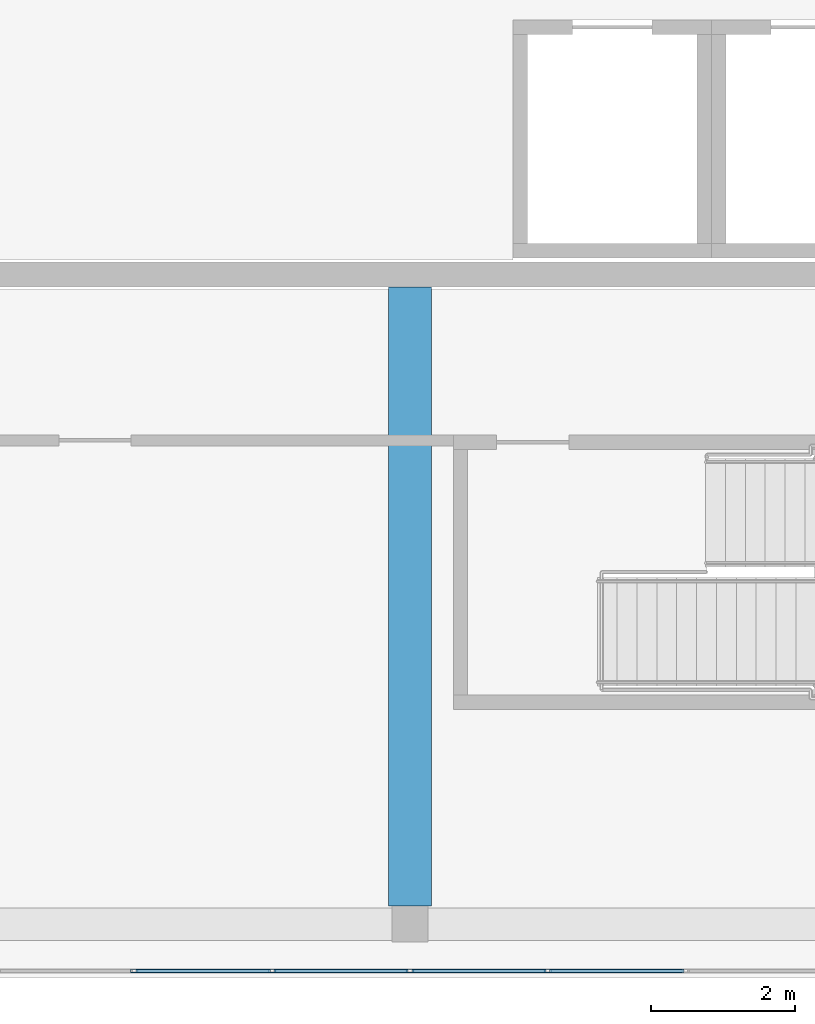
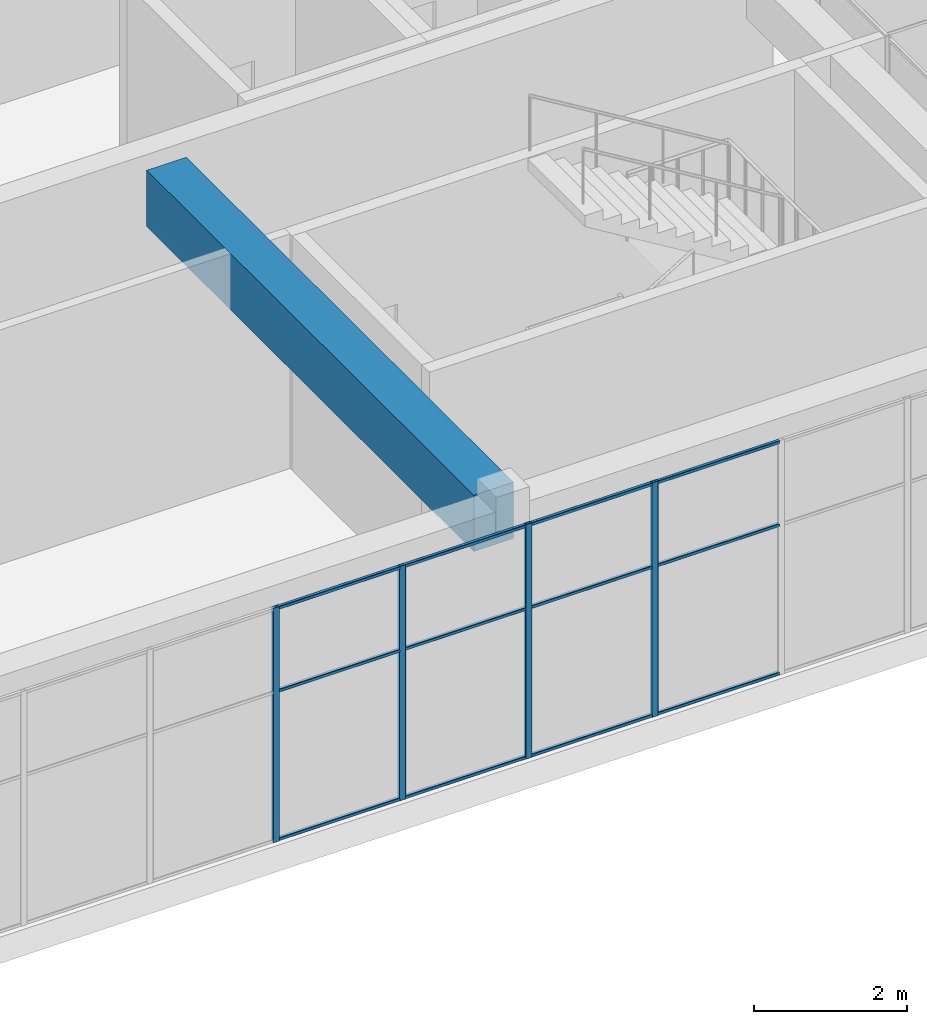
# One storey, part 7 of 34: 16 members, 1 beam, 1 element without a shape of its own.
"""IFC4 building model written with IfcOpenShell, lengths in metres."""

from ifc_helpers import new_model, si_unit, direction, frame, origin, origin_2d, place, context, subcontext, project, spatial, rectangle, hollow_rectangle, extrude, material, layer, layer_set, material_profile, profile_set, type_object, element, aggregate, save


model = new_model("IFC4")

# Units and contexts
model_context = context("Model", 3, precision=1e-05, world=origin(), true_north=direction((0.0, 1.0)))
body_context = subcontext(model_context, "Body", "Model", "MODEL_VIEW")
ifc_project = project(units=[si_unit("LENGTHUNIT", "METRE"), si_unit("AREAUNIT", "SQUARE_METRE"), si_unit("VOLUMEUNIT", "CUBIC_METRE"), si_unit("PLANEANGLEUNIT", "RADIAN"), si_unit("MASSUNIT", "GRAM", prefix="KILO")], contexts=[model_context])

# Site, building, storey
site_placement = place(None, origin())
site = spatial("IfcSite", under=ifc_project, at=site_placement, CompositionType="ELEMENT")
building_placement = place(site_placement, origin())
building = spatial("IfcBuilding", under=site, at=building_placement, Name="Tuart Plaza Theatre", CompositionType="ELEMENT")
storey_placement = place(building_placement, frame((0.0, 0.0, 53.5)))
storey = spatial("IfcBuildingStorey", under=building, at=storey_placement, Name="L13", CompositionType="ELEMENT", Elevation=53.5)

# Beam
ifc_material_1 = material(Name="Concrete N40 (40 MPa)", Category="concrete")
ifc_material_profile_1 = material_profile(ifc_material_1, rectangle(XDim=0.60009765625, YDim=0.89990234375, at=origin_2d()), Name="BEAM 600x900 Concrete N40 (40 MPa)")
ifc_profile_set_1 = profile_set([ifc_material_profile_1], Name="Concrete N40 (40 MPa)")
beam_type = type_object("IfcBeamType", Name="BEAM 600x900 Concrete N40 (40 MPa)", PredefinedType="BEAM", material=ifc_profile_set_1)
beam_placement = place(storey_placement, frame((132.0, 56.25, 3.300048828125), z_axis=(0.0, 1.0, 0.0), x_axis=(-1.0, 0.0, 0.0)))
element("IfcBeam", 1, at=beam_placement, inside=storey, type_object=beam_type, Name="RB333", PredefinedType="BEAM", context=body_context, shape_type="SweptSolid", body=[
    extrude(rectangle(XDim=0.60009765625, YDim=0.89990234375, at=origin_2d()), origin(), (0.0, 0.0, 1.0), 8.574951171875),
])

# Curtain wall, members
ifc_material_2 = material(Name="Aluminium and glass", Category="aluminium")
ifc_layer = layer(ifc_material_2, 0.10009765625)
ifc_layer_set = layer_set([ifc_layer], Name="CURTAIN WALL 2000 module")
curtain_wall_type = type_object("IfcCurtainWallType", Name="CURTAIN WALL 2000 module", PredefinedType="NOTDEFINED", material=ifc_layer_set)
curtain_wall_placement = place(storey_placement, origin())
curtain_wall = element("IfcCurtainWall", 2, at=curtain_wall_placement, inside=storey, type_object=curtain_wall_type, Name="CW122", PredefinedType="NOTDEFINED")
ifc_material_3 = material(Name="Aluminium 6063-T5", Category="aluminium")
ifc_material_profile_2 = material_profile(ifc_material_3, hollow_rectangle(XDim=0.050048828125, YDim=0.10009765625, WallThickness=0.00390625, InnerFilletRadius=0.00390625, OuterFilletRadius=0.008056640625, at=origin_2d()), Name="RHS 100x50x4")
ifc_profile_set_2 = profile_set([ifc_material_profile_2], Name="Aluminium 6063-T5")
member_type_1 = type_object("IfcMemberType", Name="MULLION RHS 100x50x4", PredefinedType="MULLION", material=ifc_profile_set_2)
member_1_placement = place(storey_placement, frame((128.179931640625, 55.35009765625, 0.0), z_axis=(0.0, 0.0, 1.0), x_axis=(0.0, 1.0, 0.0)))
member_1 = element("IfcMember", 3, at=member_1_placement, type_object=member_type_1, Name="CW122 mullion 4", PredefinedType="MULLION", context=body_context, shape_type="SweptSolid", body=[
    extrude(hollow_rectangle(XDim=0.050048828125, YDim=0.10009765625, WallThickness=0.00390625, InnerFilletRadius=0.00390625, OuterFilletRadius=0.008056640625, at=origin_2d()), origin(), (0.0, 0.0, 1.0), 3.75),
])
member_2_placement = place(storey_placement, frame((130.090087890625, 55.35009765625, 0.0), z_axis=(0.0, 0.0, 1.0), x_axis=(0.0, 1.0, 0.0)))
member_2 = element("IfcMember", 4, at=member_2_placement, type_object=member_type_1, Name="CW122 mullion 5", PredefinedType="MULLION", context=body_context, shape_type="SweptSolid", body=[
    extrude(hollow_rectangle(XDim=0.050048828125, YDim=0.10009765625, WallThickness=0.00390625, InnerFilletRadius=0.00390625, OuterFilletRadius=0.008056640625, at=origin_2d()), origin(), (0.0, 0.0, 1.0), 3.75),
])
member_3_placement = place(storey_placement, frame((132.0, 55.35009765625, 0.0), z_axis=(0.0, 0.0, 1.0), x_axis=(0.0, 1.0, 0.0)))
member_3 = element("IfcMember", 5, at=member_3_placement, type_object=member_type_1, Name="CW122 mullion 6", PredefinedType="MULLION", context=body_context, shape_type="SweptSolid", body=[
    extrude(hollow_rectangle(XDim=0.050048828125, YDim=0.10009765625, WallThickness=0.00390625, InnerFilletRadius=0.00390625, OuterFilletRadius=0.008056640625, at=origin_2d()), origin(), (0.0, 0.0, 1.0), 3.75),
])
member_4_placement = place(storey_placement, frame((133.909912109375, 55.35009765625, 0.0), z_axis=(0.0, 0.0, 1.0), x_axis=(0.0, 1.0, 0.0)))
member_4 = element("IfcMember", 6, at=member_4_placement, type_object=member_type_1, Name="CW122 mullion 7", PredefinedType="MULLION", context=body_context, shape_type="SweptSolid", body=[
    extrude(hollow_rectangle(XDim=0.050048828125, YDim=0.10009765625, WallThickness=0.00390625, InnerFilletRadius=0.00390625, OuterFilletRadius=0.008056640625, at=origin_2d()), origin(), (0.0, 0.0, 1.0), 3.75),
])
ifc_material_4 = material(Name="Aluminium 6063-T5", Category="aluminium")
ifc_material_profile_3 = material_profile(ifc_material_4, hollow_rectangle(XDim=0.050048828125, YDim=0.050048828125, WallThickness=0.00390625, InnerFilletRadius=0.00390625, OuterFilletRadius=0.008056640625, at=origin_2d()), Name="RHS 50x50x4")
ifc_profile_set_3 = profile_set([ifc_material_profile_3], Name="Aluminium 6063-T5")
member_type_2 = type_object("IfcMemberType", Name="TRANSOM RHS 50x50x4", PredefinedType="USERDEFINED", material=ifc_profile_set_3)
member_5_placement = place(storey_placement, frame((128.205078125, 55.35009765625, 0.02490234375), z_axis=(1.0, 0.0, 0.0), x_axis=(0.0, 1.0, 0.0)))
member_5 = element("IfcMember", 7, at=member_5_placement, type_object=member_type_2, Name="CW122 transom 4.1", ObjectType="TRANSOM", PredefinedType="USERDEFINED", context=body_context, shape_type="SweptSolid", body=[
    extrude(hollow_rectangle(XDim=0.050048828125, YDim=0.050048828125, WallThickness=0.00390625, InnerFilletRadius=0.00390625, OuterFilletRadius=0.008056640625, at=origin_2d()), origin(), (0.0, 0.0, 1.0), 1.85986328125),
])
member_6_placement = place(storey_placement, frame((128.205078125, 55.35009765625, 2.39990234375), z_axis=(1.0, 0.0, 0.0), x_axis=(0.0, 1.0, 0.0)))
member_6 = element("IfcMember", 8, at=member_6_placement, type_object=member_type_2, Name="CW122 transom 4.2", ObjectType="TRANSOM", PredefinedType="USERDEFINED", context=body_context, shape_type="SweptSolid", body=[
    extrude(hollow_rectangle(XDim=0.050048828125, YDim=0.050048828125, WallThickness=0.00390625, InnerFilletRadius=0.00390625, OuterFilletRadius=0.008056640625, at=origin_2d()), origin(), (0.0, 0.0, 1.0), 1.85986328125),
])
member_7_placement = place(storey_placement, frame((128.205078125, 55.35009765625, 3.72509765625), z_axis=(1.0, 0.0, 0.0), x_axis=(0.0, 1.0, 0.0)))
member_7 = element("IfcMember", 9, at=member_7_placement, type_object=member_type_2, Name="CW122 transom 4.3", ObjectType="TRANSOM", PredefinedType="USERDEFINED", context=body_context, shape_type="SweptSolid", body=[
    extrude(hollow_rectangle(XDim=0.050048828125, YDim=0.050048828125, WallThickness=0.00390625, InnerFilletRadius=0.00390625, OuterFilletRadius=0.008056640625, at=origin_2d()), origin(), (0.0, 0.0, 1.0), 1.85986328125),
])
member_8_placement = place(storey_placement, frame((130.114990234375, 55.35009765625, 0.02490234375), z_axis=(1.0, 0.0, 0.0), x_axis=(0.0, 1.0, 0.0)))
member_8 = element("IfcMember", 10, at=member_8_placement, type_object=member_type_2, Name="CW122 transom 5.1", ObjectType="TRANSOM", PredefinedType="USERDEFINED", context=body_context, shape_type="SweptSolid", body=[
    extrude(hollow_rectangle(XDim=0.050048828125, YDim=0.050048828125, WallThickness=0.00390625, InnerFilletRadius=0.00390625, OuterFilletRadius=0.008056640625, at=origin_2d()), origin(), (0.0, 0.0, 1.0), 1.860107421875),
])
member_9_placement = place(storey_placement, frame((130.114990234375, 55.35009765625, 2.39990234375), z_axis=(1.0, 0.0, 0.0), x_axis=(0.0, 1.0, 0.0)))
member_9 = element("IfcMember", 11, at=member_9_placement, type_object=member_type_2, Name="CW122 transom 5.2", ObjectType="TRANSOM", PredefinedType="USERDEFINED", context=body_context, shape_type="SweptSolid", body=[
    extrude(hollow_rectangle(XDim=0.050048828125, YDim=0.050048828125, WallThickness=0.00390625, InnerFilletRadius=0.00390625, OuterFilletRadius=0.008056640625, at=origin_2d()), origin(), (0.0, 0.0, 1.0), 1.860107421875),
])
member_10_placement = place(storey_placement, frame((130.114990234375, 55.35009765625, 3.72509765625), z_axis=(1.0, 0.0, 0.0), x_axis=(0.0, 1.0, 0.0)))
member_10 = element("IfcMember", 12, at=member_10_placement, type_object=member_type_2, Name="CW122 transom 5.3", ObjectType="TRANSOM", PredefinedType="USERDEFINED", context=body_context, shape_type="SweptSolid", body=[
    extrude(hollow_rectangle(XDim=0.050048828125, YDim=0.050048828125, WallThickness=0.00390625, InnerFilletRadius=0.00390625, OuterFilletRadius=0.008056640625, at=origin_2d()), origin(), (0.0, 0.0, 1.0), 1.860107421875),
])
member_11_placement = place(storey_placement, frame((132.02490234375, 55.35009765625, 0.02490234375), z_axis=(1.0, 0.0, 0.0), x_axis=(0.0, 1.0, 0.0)))
member_11 = element("IfcMember", 13, at=member_11_placement, type_object=member_type_2, Name="CW122 transom 6.1", ObjectType="TRANSOM", PredefinedType="USERDEFINED", context=body_context, shape_type="SweptSolid", body=[
    extrude(hollow_rectangle(XDim=0.050048828125, YDim=0.050048828125, WallThickness=0.00390625, InnerFilletRadius=0.00390625, OuterFilletRadius=0.008056640625, at=origin_2d()), origin(), (0.0, 0.0, 1.0), 1.860107421875),
])
member_12_placement = place(storey_placement, frame((132.02490234375, 55.35009765625, 2.39990234375), z_axis=(1.0, 0.0, 0.0), x_axis=(0.0, 1.0, 0.0)))
member_12 = element("IfcMember", 14, at=member_12_placement, type_object=member_type_2, Name="CW122 transom 6.2", ObjectType="TRANSOM", PredefinedType="USERDEFINED", context=body_context, shape_type="SweptSolid", body=[
    extrude(hollow_rectangle(XDim=0.050048828125, YDim=0.050048828125, WallThickness=0.00390625, InnerFilletRadius=0.00390625, OuterFilletRadius=0.008056640625, at=origin_2d()), origin(), (0.0, 0.0, 1.0), 1.860107421875),
])
member_13_placement = place(storey_placement, frame((132.02490234375, 55.35009765625, 3.72509765625), z_axis=(1.0, 0.0, 0.0), x_axis=(0.0, 1.0, 0.0)))
member_13 = element("IfcMember", 15, at=member_13_placement, type_object=member_type_2, Name="CW122 transom 6.3", ObjectType="TRANSOM", PredefinedType="USERDEFINED", context=body_context, shape_type="SweptSolid", body=[
    extrude(hollow_rectangle(XDim=0.050048828125, YDim=0.050048828125, WallThickness=0.00390625, InnerFilletRadius=0.00390625, OuterFilletRadius=0.008056640625, at=origin_2d()), origin(), (0.0, 0.0, 1.0), 1.860107421875),
])
member_14_placement = place(storey_placement, frame((133.93505859375, 55.35009765625, 0.02490234375), z_axis=(1.0, 0.0, 0.0), x_axis=(0.0, 1.0, 0.0)))
member_14 = element("IfcMember", 16, at=member_14_placement, type_object=member_type_2, Name="CW122 transom 7.1", ObjectType="TRANSOM", PredefinedType="USERDEFINED", context=body_context, shape_type="SweptSolid", body=[
    extrude(hollow_rectangle(XDim=0.050048828125, YDim=0.050048828125, WallThickness=0.00390625, InnerFilletRadius=0.00390625, OuterFilletRadius=0.008056640625, at=origin_2d()), origin(), (0.0, 0.0, 1.0), 1.85986328125),
])
member_15_placement = place(storey_placement, frame((133.93505859375, 55.35009765625, 2.39990234375), z_axis=(1.0, 0.0, 0.0), x_axis=(0.0, 1.0, 0.0)))
member_15 = element("IfcMember", 17, at=member_15_placement, type_object=member_type_2, Name="CW122 transom 7.2", ObjectType="TRANSOM", PredefinedType="USERDEFINED", context=body_context, shape_type="SweptSolid", body=[
    extrude(hollow_rectangle(XDim=0.050048828125, YDim=0.050048828125, WallThickness=0.00390625, InnerFilletRadius=0.00390625, OuterFilletRadius=0.008056640625, at=origin_2d()), origin(), (0.0, 0.0, 1.0), 1.85986328125),
])
member_16_placement = place(storey_placement, frame((133.93505859375, 55.35009765625, 3.72509765625), z_axis=(1.0, 0.0, 0.0), x_axis=(0.0, 1.0, 0.0)))
member_16 = element("IfcMember", 18, at=member_16_placement, type_object=member_type_2, Name="CW122 transom 7.3", ObjectType="TRANSOM", PredefinedType="USERDEFINED", context=body_context, shape_type="SweptSolid", body=[
    extrude(hollow_rectangle(XDim=0.050048828125, YDim=0.050048828125, WallThickness=0.00390625, InnerFilletRadius=0.00390625, OuterFilletRadius=0.008056640625, at=origin_2d()), origin(), (0.0, 0.0, 1.0), 1.85986328125),
])
aggregate(curtain_wall, [member_1, member_2, member_3, member_4, member_5, member_6, member_7, member_8, member_9, member_10, member_11, member_12, member_13, member_14, member_15, member_16])

save(model, "model.ifc")
